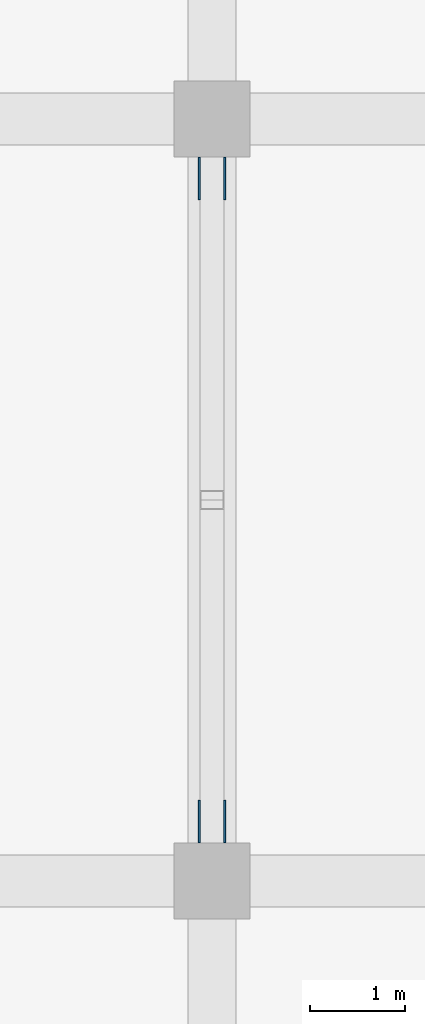
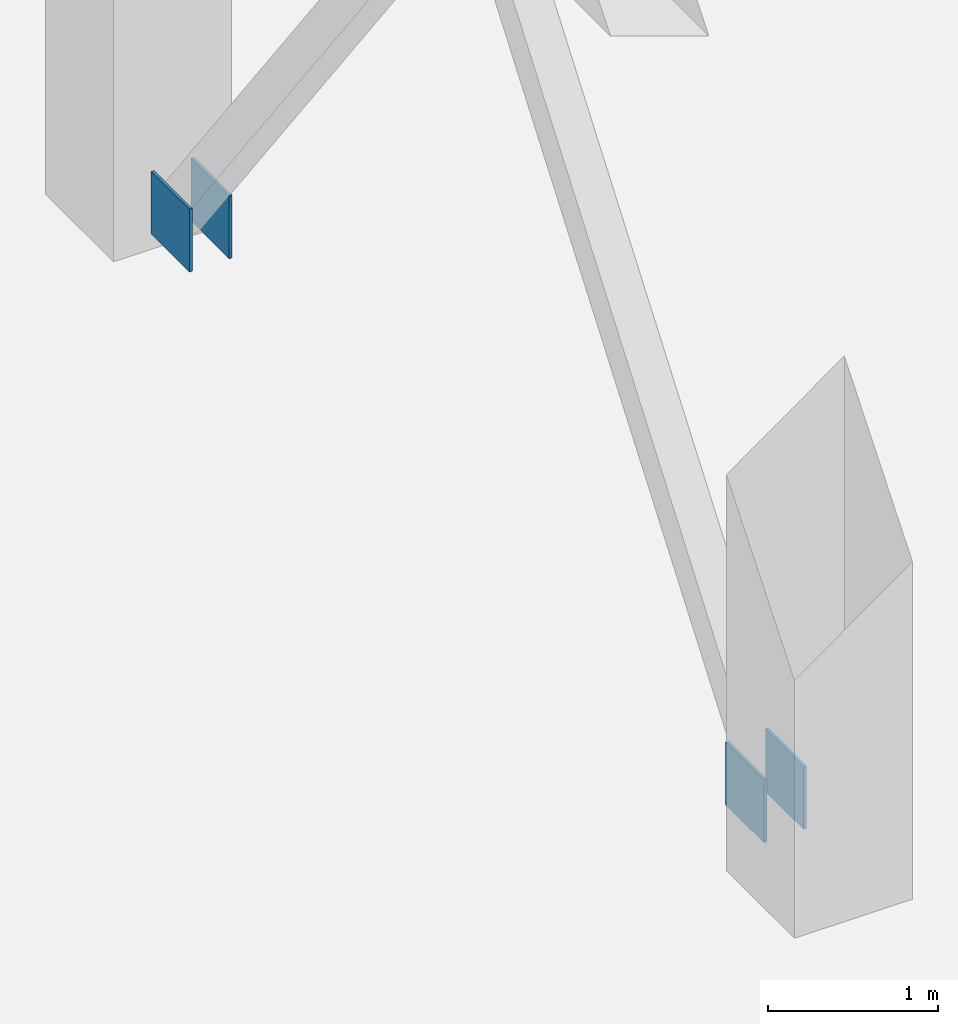
# One storey, part 66 of 76: 4 discrete accessories.
"""IFC4 building model written with IfcOpenShell, lengths in metres."""

from ifc_helpers import new_model, si_unit, direction, frame, origin, origin_2d, place, context, subcontext, project, spatial, rectangle, extrude, material, layer, layer_set, type_object, element, save


model = new_model("IFC4")

# Units and contexts
model_context = context("Model", 3, precision=1e-05, world=origin(), true_north=direction((0.0, 1.0)))
body_context = subcontext(model_context, "Body", "Model", "MODEL_VIEW")
ifc_project = project(units=[si_unit("LENGTHUNIT", "METRE"), si_unit("AREAUNIT", "SQUARE_METRE"), si_unit("VOLUMEUNIT", "CUBIC_METRE"), si_unit("PLANEANGLEUNIT", "RADIAN"), si_unit("MASSUNIT", "GRAM", prefix="KILO")], contexts=[model_context])

# Site, building, storey
site_placement = place(None, origin())
site = spatial("IfcSite", under=ifc_project, at=site_placement, CompositionType="ELEMENT")
building_placement = place(site_placement, origin())
building = spatial("IfcBuilding", under=site, at=building_placement, Name="Naruveol Harbour Congress Hotel", CompositionType="ELEMENT")
storey_placement = place(building_placement, origin())
storey = spatial("IfcBuildingStorey", under=building, at=storey_placement, Name="L00", CompositionType="ELEMENT", Elevation=0.0)

# Discrete accessories
ifc_material = material(Name="Steel SN490", Category="steel")
ifc_layer = layer(ifc_material, 0.02001953125)
ifc_layer_set = layer_set([ifc_layer], Name="Steel SN490")
discrete_accessory_type = type_object("IfcDiscreteAccessoryType", Name="STEEL BRACE GUSSET PLATE 20", PredefinedType="USERDEFINED", material=ifc_layer_set)
for number, where, z_axis, x_axis, name in (
    (1, (109.06494140625, 80.625, 0.10986328125), (0.0, 0.0, 1.0), (0.0, 1.0, 0.0), "Brace gusset plate Lateral chevron brace L00 #9A (A)"),
    (2, (109.3349609375, 80.625, 0.10986328125), (0.0, 0.0, 1.0), (0.0, 1.0, 0.0), "Brace gusset plate Lateral chevron brace L00 #9A (B)"),
    (3, (109.3349609375, 87.375, 0.10986328125), (0.0, 0.0, 1.0), (0.0, -1.0, 0.0), "Brace gusset plate Lateral chevron brace L00 #9B (A)"),
    (4, (109.06494140625, 87.375, 0.10986328125), (0.0, 0.0, 1.0), (0.0, -1.0, 0.0), "Brace gusset plate Lateral chevron brace L00 #9B (B)"),
):
    element("IfcDiscreteAccessory", number, at=place(storey_placement, frame(where, z_axis=z_axis, x_axis=x_axis)), inside=storey, type_object=discrete_accessory_type, Name=name, ObjectType="BRACE GUSSET PLATE", PredefinedType="USERDEFINED", context=body_context, shape_type="SweptSolid", body=[
        extrude(rectangle(XDim=0.449951171875, YDim=0.02001953125, at=origin_2d()), origin(), (0.0, 0.0, 1.0), 0.449951171875),
    ])

save(model, "model.ifc")
